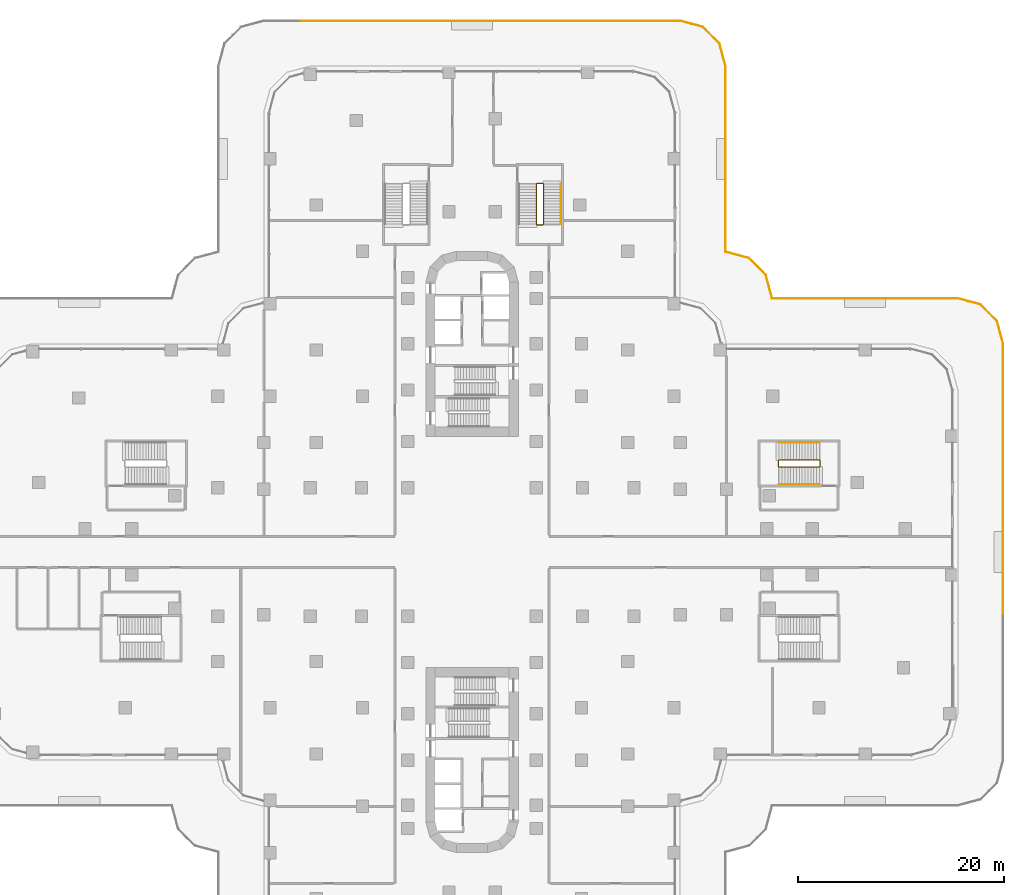
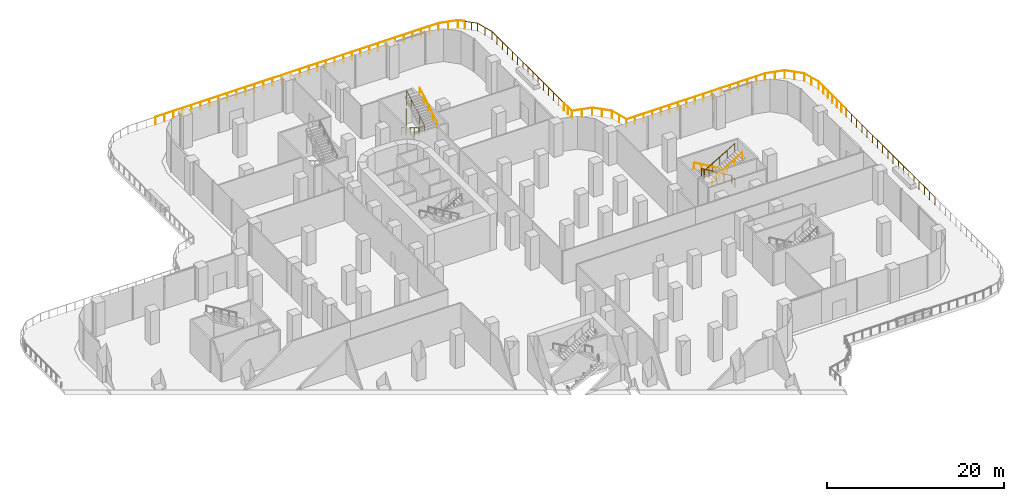
# One storey, part 28 of 29: 11 railings.
"""IFC4 building model written with IfcOpenShell, lengths in metres."""

from ifc_helpers import new_model, si_unit, direction, frame, origin, origin_2d, place, context, subcontext, project, spatial, circle, extrude, material, type_object, element, save


model = new_model("IFC4")

# Units and contexts
model_context = context("Model", 3, precision=1e-05, world=origin(), true_north=direction((0.0, 1.0)))
body_context = subcontext(model_context, "Body", "Model", "MODEL_VIEW")
ifc_project = project(units=[si_unit("LENGTHUNIT", "METRE"), si_unit("AREAUNIT", "SQUARE_METRE"), si_unit("VOLUMEUNIT", "CUBIC_METRE"), si_unit("PLANEANGLEUNIT", "RADIAN"), si_unit("MASSUNIT", "GRAM", prefix="KILO")], contexts=[model_context])

# Site, building, storey
site_placement = place(None, origin())
site = spatial("IfcSite", under=ifc_project, at=site_placement, CompositionType="ELEMENT")
building_placement = place(site_placement, origin())
building = spatial("IfcBuilding", under=site, at=building_placement, Name="Zarbagh Exchange Tower", CompositionType="ELEMENT")
storey_placement = place(building_placement, frame((0.0, 0.0, 12.0)))
storey = spatial("IfcBuildingStorey", under=building, at=storey_placement, Name="L02", CompositionType="ELEMENT", Elevation=12.0)

# Railings
ifc_material_1 = material(Name="Stainless steel", Category="steel")
railing_type_1 = type_object("IfcRailingType", Name="Stair guard 1100 mm", PredefinedType="GUARDRAIL", material=ifc_material_1)
railing_1_placement = place(storey_placement, frame((6.25, 35.800048828125, 0.166748046875)))
element("IfcRailing", 1, at=railing_1_placement, inside=storey, type_object=railing_type_1, Name="PS2 stair guard 1", PredefinedType="GUARDRAIL", context=body_context, shape_type="SweptSolid", body=[
    extrude(circle(Radius=0.02392578125, at=origin_2d()), frame((0.0, 0.0, 1.076171875), z_axis=(0.0, -0.859310244771, 0.511454693235), x_axis=(1.0, 0.0, 0.0)), (0.0, 0.0, 1.0), 4.56201171875),
    extrude(circle(Radius=0.02392578125, at=origin_2d()), frame((0.0, -3.920166015625, 3.4091796875), z_axis=(0.708833529934, -0.705375805398, 0.0), x_axis=(0.705375805398, 0.708833529934, 0.0)), (0.0, 0.0, 1.0), 0.070556640625),
    extrude(circle(Radius=0.02392578125, at=origin_2d()), frame((0.050048828125, -3.969970703125, 3.4091796875), z_axis=(1.0, 0.0, 0.0), x_axis=(0.0, 1.0, 0.0)), (0.0, 0.0, 1.0), 0.599853515625),
    extrude(circle(Radius=0.02392578125, at=origin_2d()), frame((0.64990234375, -3.969970703125, 3.4091796875), z_axis=(0.276389281352, 0.275041040955, 0.920848191041), x_axis=(-0.705375805398, 0.708833529934, 0.0)), (0.0, 0.0, 1.0), 0.18115234375),
    extrude(circle(Radius=0.02392578125, at=origin_2d()), frame((0.699951171875, -3.920166015625, 3.576171875), z_axis=(0.0, 0.859310244771, 0.511454693235), x_axis=(-1.0, 0.0, 0.0)), (0.0, 0.0, 1.0), 4.56201171875),
    extrude(circle(Radius=0.02392578125, at=origin_2d()), frame((0.699951171875, 0.0, 5.9091796875), z_axis=(-0.010008762843, 0.010008762843, -0.999899819648), x_axis=(-0.707106781187, -0.707106781187, 0.0)), (0.0, 0.0, 1.0), 5.00048828125),
    extrude(circle(Radius=0.02392578125, at=origin_2d()), frame((0.64990234375, 0.050048828125, 0.9091796875), z_axis=(-1.0, 0.0, 0.0), x_axis=(0.0, -1.0, 0.0)), (0.0, 0.0, 1.0), 0.599853515625),
    extrude(circle(Radius=0.02099609375, at=origin_2d()), origin(), (0.0, 0.0, 1.0), 1.052001953125),
    extrude(circle(Radius=0.02099609375, at=origin_2d()), frame((0.0, -0.97998046875, 0.583251953125)), (0.0, 0.0, 1.0), 1.052001953125),
    extrude(circle(Radius=0.02099609375, at=origin_2d()), frame((0.0, -1.9599609375, 1.16650390625)), (0.0, 0.0, 1.0), 1.052001953125),
    extrude(circle(Radius=0.02099609375, at=origin_2d()), frame((0.0, -2.940185546875, 1.75)), (0.0, 0.0, 1.0), 1.052001953125),
    extrude(circle(Radius=0.02099609375, at=origin_2d()), frame((0.0, -3.920166015625, 2.333251953125)), (0.0, 0.0, 1.0), 1.052001953125),
    extrude(circle(Radius=0.02099609375, at=origin_2d()), frame((0.050048828125, -3.969970703125, 2.333251953125)), (0.0, 0.0, 1.0), 1.052001953125),
    extrude(circle(Radius=0.02099609375, at=origin_2d()), frame((0.64990234375, -3.969970703125, 2.333251953125)), (0.0, 0.0, 1.0), 1.052001953125),
    extrude(circle(Radius=0.02099609375, at=origin_2d()), frame((0.699951171875, -3.920166015625, 2.5)), (0.0, 0.0, 1.0), 1.052001953125),
    extrude(circle(Radius=0.02099609375, at=origin_2d()), frame((0.699951171875, -2.940185546875, 3.083251953125)), (0.0, 0.0, 1.0), 1.052001953125),
    extrude(circle(Radius=0.02099609375, at=origin_2d()), frame((0.699951171875, -1.9599609375, 3.66650390625)), (0.0, 0.0, 1.0), 1.052001953125),
    extrude(circle(Radius=0.02099609375, at=origin_2d()), frame((0.699951171875, -0.97998046875, 4.25)), (0.0, 0.0, 1.0), 1.052001953125),
    extrude(circle(Radius=0.02099609375, at=origin_2d()), frame((0.699951171875, 0.0, 4.833251953125)), (0.0, 0.0, 1.0), 1.052001953125),
    extrude(circle(Radius=0.02099609375, at=origin_2d()), frame((0.68994140625, 0.010009765625, 3.833251953125)), (0.0, 0.0, 1.0), 1.052001953125),
    extrude(circle(Radius=0.02099609375, at=origin_2d()), frame((0.679931640625, 0.02001953125, 2.833251953125)), (0.0, 0.0, 1.0), 1.052001953125),
    extrude(circle(Radius=0.02099609375, at=origin_2d()), frame((0.669921875, 0.030029296875, 1.833251953125)), (0.0, 0.0, 1.0), 1.052001953125),
    extrude(circle(Radius=0.02099609375, at=origin_2d()), frame((0.659912109375, 0.0400390625, 0.833251953125)), (0.0, 0.0, 1.0), 1.052001953125),
    extrude(circle(Radius=0.02099609375, at=origin_2d()), frame((0.64990234375, 0.050048828125, -0.166748046875)), (0.0, 0.0, 1.0), 1.052001953125),
    extrude(circle(Radius=0.02099609375, at=origin_2d()), frame((0.050048828125, 0.050048828125, -0.166748046875)), (0.0, 0.0, 1.0), 1.052001953125),
])
railing_2_placement = place(storey_placement, frame((33.85009765625, 8.300048828125, 0.0)))
element("IfcRailing", 2, at=railing_2_placement, inside=storey, type_object=railing_type_1, Name="PS3 stair guard 1", PredefinedType="GUARDRAIL", context=body_context, shape_type="SweptSolid", body=[
    extrude(circle(Radius=0.02392578125, at=origin_2d()), frame((0.0, 0.0, 1.076171875), z_axis=(0.0, 1.0, 0.0), x_axis=(-1.0, 0.0, 0.0)), (0.0, 0.0, 1.0), 0.599853515625),
    extrude(circle(Radius=0.02392578125, at=origin_2d()), frame((0.0, 0.599853515625, 1.076171875), z_axis=(-0.27628659633, 0.27628659633, 0.920506074601), x_axis=(-0.707106781187, -0.707106781187, 0.0)), (0.0, 0.0, 1.0), 0.18115234375),
    extrude(circle(Radius=0.02392578125, at=origin_2d()), frame((-0.050048828125, 0.64990234375, 1.24267578125), z_axis=(-0.859310244771, 0.0, 0.511454693235), x_axis=(0.0, -1.0, 0.0)), (0.0, 0.0, 1.0), 4.56201171875),
    extrude(circle(Radius=0.02392578125, at=origin_2d()), frame((-3.97021484375, 0.64990234375, 3.576171875), z_axis=(-0.705375805398, -0.708833529934, 0.0), x_axis=(0.708833529934, -0.705375805398, 0.0)), (0.0, 0.0, 1.0), 0.070556640625),
    extrude(circle(Radius=0.02392578125, at=origin_2d()), frame((-4.02001953125, 0.599853515625, 3.576171875), z_axis=(0.0, -1.0, 0.0), x_axis=(1.0, 0.0, 0.0)), (0.0, 0.0, 1.0), 0.599853515625),
    extrude(circle(Radius=0.02392578125, at=origin_2d()), frame((-4.02001953125, 0.0, 3.576171875), z_axis=(0.275041040955, -0.276389281352, 0.920848191041), x_axis=(0.708833529934, 0.705375805398, 0.0)), (0.0, 0.0, 1.0), 0.18115234375),
    extrude(circle(Radius=0.02392578125, at=origin_2d()), frame((-3.97021484375, -0.050048828125, 3.74267578125), z_axis=(0.859310244771, 0.0, 0.511454693235), x_axis=(0.0, 1.0, 0.0)), (0.0, 0.0, 1.0), 4.56201171875),
    extrude(circle(Radius=0.02099609375, at=origin_2d()), origin(), (0.0, 0.0, 1.0), 1.052001953125),
    extrude(circle(Radius=0.02099609375, at=origin_2d()), frame((0.0, 0.599853515625, 0.0)), (0.0, 0.0, 1.0), 1.052001953125),
    extrude(circle(Radius=0.02099609375, at=origin_2d()), frame((-0.050048828125, 0.64990234375, 0.166748046875)), (0.0, 0.0, 1.0), 1.052001953125),
    extrude(circle(Radius=0.02099609375, at=origin_2d()), frame((-1.030029296875, 0.64990234375, 0.75)), (0.0, 0.0, 1.0), 1.052001953125),
    extrude(circle(Radius=0.02099609375, at=origin_2d()), frame((-2.01025390625, 0.64990234375, 1.33349609375)), (0.0, 0.0, 1.0), 1.052001953125),
    extrude(circle(Radius=0.02099609375, at=origin_2d()), frame((-2.990234375, 0.64990234375, 1.916748046875)), (0.0, 0.0, 1.0), 1.052001953125),
    extrude(circle(Radius=0.02099609375, at=origin_2d()), frame((-3.97021484375, 0.64990234375, 2.5)), (0.0, 0.0, 1.0), 1.052001953125),
    extrude(circle(Radius=0.02099609375, at=origin_2d()), frame((-4.02001953125, 0.599853515625, 2.5)), (0.0, 0.0, 1.0), 1.052001953125),
    extrude(circle(Radius=0.02099609375, at=origin_2d()), frame((-4.02001953125, 0.0, 2.5)), (0.0, 0.0, 1.0), 1.052001953125),
    extrude(circle(Radius=0.02099609375, at=origin_2d()), frame((-3.97021484375, -0.050048828125, 2.666748046875)), (0.0, 0.0, 1.0), 1.052001953125),
    extrude(circle(Radius=0.02099609375, at=origin_2d()), frame((-2.990234375, -0.050048828125, 3.25)), (0.0, 0.0, 1.0), 1.052001953125),
    extrude(circle(Radius=0.02099609375, at=origin_2d()), frame((-2.01025390625, -0.050048828125, 3.83349609375)), (0.0, 0.0, 1.0), 1.052001953125),
    extrude(circle(Radius=0.02099609375, at=origin_2d()), frame((-1.030029296875, -0.050048828125, 4.416748046875)), (0.0, 0.0, 1.0), 1.052001953125),
    extrude(circle(Radius=0.02099609375, at=origin_2d()), frame((-0.050048828125, -0.050048828125, 5.0)), (0.0, 0.0, 1.0), 1.052001953125),
])
railing_type_2 = type_object("IfcRailingType", Name="Stair handrail 900 mm", PredefinedType="HANDRAIL", material=ifc_material_1)
railing_3_placement = place(storey_placement, frame((8.64990234375, 31.8798828125, 2.666748046875)))
element("IfcRailing", 3, at=railing_3_placement, inside=storey, type_object=railing_type_2, Name="PS2 stair handrail 2", PredefinedType="HANDRAIL", context=body_context, shape_type="SweptSolid", body=[
    extrude(circle(Radius=0.02392578125, at=origin_2d()), frame((0.0, 0.0, 0.8759765625), z_axis=(0.0, 0.859310244771, 0.511454693235), x_axis=(-1.0, 0.0, 0.0)), (0.0, 0.0, 1.0), 4.56201171875),
    extrude(circle(Radius=0.02099609375, at=origin_2d()), origin(), (0.0, 0.0, 1.0), 0.851806640625),
    extrude(circle(Radius=0.02099609375, at=origin_2d()), frame((0.0, 0.97998046875, 0.583251953125)), (0.0, 0.0, 1.0), 0.851806640625),
    extrude(circle(Radius=0.02099609375, at=origin_2d()), frame((0.0, 1.9599609375, 1.16650390625)), (0.0, 0.0, 1.0), 0.851806640625),
    extrude(circle(Radius=0.02099609375, at=origin_2d()), frame((0.0, 2.940185546875, 1.75)), (0.0, 0.0, 1.0), 0.851806640625),
    extrude(circle(Radius=0.02099609375, at=origin_2d()), frame((0.0, 3.920166015625, 2.333251953125)), (0.0, 0.0, 1.0), 0.851806640625),
])
railing_4_placement = place(storey_placement, frame((33.800048828125, 10.64990234375, 0.166748046875)))
element("IfcRailing", 4, at=railing_4_placement, inside=storey, type_object=railing_type_2, Name="PS3 stair handrail 1", PredefinedType="HANDRAIL", context=body_context, shape_type="SweptSolid", body=[
    extrude(circle(Radius=0.02392578125, at=origin_2d()), frame((0.0, 0.0, 0.8759765625), z_axis=(-0.859310244771, 0.0, 0.511454693235), x_axis=(0.0, -1.0, 0.0)), (0.0, 0.0, 1.0), 4.56201171875),
    extrude(circle(Radius=0.02099609375, at=origin_2d()), origin(), (0.0, 0.0, 1.0), 0.851806640625),
    extrude(circle(Radius=0.02099609375, at=origin_2d()), frame((-0.97998046875, 0.0, 0.583251953125)), (0.0, 0.0, 1.0), 0.851806640625),
    extrude(circle(Radius=0.02099609375, at=origin_2d()), frame((-1.9599609375, 0.0, 1.16650390625)), (0.0, 0.0, 1.0), 0.851806640625),
    extrude(circle(Radius=0.02099609375, at=origin_2d()), frame((-2.940185546875, 0.0, 1.75)), (0.0, 0.0, 1.0), 0.851806640625),
    extrude(circle(Radius=0.02099609375, at=origin_2d()), frame((-3.920166015625, 0.0, 2.333251953125)), (0.0, 0.0, 1.0), 0.851806640625),
])
railing_5_placement = place(storey_placement, frame((29.8798828125, 6.550048828125, 2.666748046875)))
element("IfcRailing", 5, at=railing_5_placement, inside=storey, type_object=railing_type_2, Name="PS3 stair handrail 2", PredefinedType="HANDRAIL", context=body_context, shape_type="SweptSolid", body=[
    extrude(circle(Radius=0.02392578125, at=origin_2d()), frame((0.0, 0.0, 0.8759765625), z_axis=(0.859310244771, 0.0, 0.511454693235), x_axis=(0.0, 1.0, 0.0)), (0.0, 0.0, 1.0), 4.56201171875),
    extrude(circle(Radius=0.02099609375, at=origin_2d()), origin(), (0.0, 0.0, 1.0), 0.851806640625),
    extrude(circle(Radius=0.02099609375, at=origin_2d()), frame((0.97998046875, 0.0, 0.583251953125)), (0.0, 0.0, 1.0), 0.851806640625),
    extrude(circle(Radius=0.02099609375, at=origin_2d()), frame((1.9599609375, 0.0, 1.16650390625)), (0.0, 0.0, 1.0), 0.851806640625),
    extrude(circle(Radius=0.02099609375, at=origin_2d()), frame((2.940185546875, 0.0, 1.75)), (0.0, 0.0, 1.0), 0.851806640625),
    extrude(circle(Radius=0.02099609375, at=origin_2d()), frame((3.920166015625, 0.0, 2.333251953125)), (0.0, 0.0, 1.0), 0.851806640625),
])
ifc_material_2 = material(Name="Stainless steel and laminated glass", Category="steel")
railing_type_3 = type_object("IfcRailingType", Name="Terrace guard, glass balustrade 1.1 m", PredefinedType="GUARDRAIL", material=ifc_material_2)
railing_6_placement = place(storey_placement, frame((-16.65673828125, 51.669921875, 0.0)))
element("IfcRailing", 6, at=railing_6_placement, inside=storey, type_object=railing_type_3, Name="TG01 terrace guard", PredefinedType="GUARDRAIL", context=body_context, shape_type="SweptSolid", body=[
    extrude(circle(Radius=0.02490234375, at=origin_2d()), frame((0.0, 0.0, 1.0751953125), z_axis=(1.0, 0.0, 0.0), x_axis=(0.0, 1.0, 0.0)), (0.0, 0.0, 1.0), 20.0),
    extrude(circle(Radius=0.02490234375, at=origin_2d()), origin(), (0.0, 0.0, 1.0), 1.050048828125),
    extrude(circle(Radius=0.02490234375, at=origin_2d()), frame((1.176513671875, 0.0, 0.0)), (0.0, 0.0, 1.0), 1.050048828125),
    extrude(circle(Radius=0.02490234375, at=origin_2d()), frame((2.35302734375, 0.0, 0.0)), (0.0, 0.0, 1.0), 1.050048828125),
    extrude(circle(Radius=0.02490234375, at=origin_2d()), frame((3.529296875, 0.0, 0.0)), (0.0, 0.0, 1.0), 1.050048828125),
    extrude(circle(Radius=0.02490234375, at=origin_2d()), frame((4.705810546875, 0.0, 0.0)), (0.0, 0.0, 1.0), 1.050048828125),
    extrude(circle(Radius=0.02490234375, at=origin_2d()), frame((5.88232421875, 0.0, 0.0)), (0.0, 0.0, 1.0), 1.050048828125),
    extrude(circle(Radius=0.02490234375, at=origin_2d()), frame((7.058837890625, 0.0, 0.0)), (0.0, 0.0, 1.0), 1.050048828125),
    extrude(circle(Radius=0.02490234375, at=origin_2d()), frame((8.2353515625, 0.0, 0.0)), (0.0, 0.0, 1.0), 1.050048828125),
    extrude(circle(Radius=0.02490234375, at=origin_2d()), frame((9.411865234375, 0.0, 0.0)), (0.0, 0.0, 1.0), 1.050048828125),
    extrude(circle(Radius=0.02490234375, at=origin_2d()), frame((10.588134765625, 0.0, 0.0)), (0.0, 0.0, 1.0), 1.050048828125),
    extrude(circle(Radius=0.02490234375, at=origin_2d()), frame((11.7646484375, 0.0, 0.0)), (0.0, 0.0, 1.0), 1.050048828125),
    extrude(circle(Radius=0.02490234375, at=origin_2d()), frame((12.941162109375, 0.0, 0.0)), (0.0, 0.0, 1.0), 1.050048828125),
    extrude(circle(Radius=0.02490234375, at=origin_2d()), frame((14.11767578125, 0.0, 0.0)), (0.0, 0.0, 1.0), 1.050048828125),
    extrude(circle(Radius=0.02490234375, at=origin_2d()), frame((15.294189453125, 0.0, 0.0)), (0.0, 0.0, 1.0), 1.050048828125),
    extrude(circle(Radius=0.02490234375, at=origin_2d()), frame((16.470703125, 0.0, 0.0)), (0.0, 0.0, 1.0), 1.050048828125),
    extrude(circle(Radius=0.02490234375, at=origin_2d()), frame((17.64697265625, 0.0, 0.0)), (0.0, 0.0, 1.0), 1.050048828125),
    extrude(circle(Radius=0.02490234375, at=origin_2d()), frame((18.823486328125, 0.0, 0.0)), (0.0, 0.0, 1.0), 1.050048828125),
    extrude(circle(Radius=0.02490234375, at=origin_2d()), frame((20.0, 0.0, 0.0)), (0.0, 0.0, 1.0), 1.050048828125),
])
railing_7_placement = place(storey_placement, frame((3.34326171875, 51.669921875, 0.0)))
element("IfcRailing", 7, at=railing_7_placement, inside=storey, type_object=railing_type_3, Name="TG01 terrace guard", PredefinedType="GUARDRAIL", context=body_context, shape_type="SweptSolid", body=[
    extrude(circle(Radius=0.02490234375, at=origin_2d()), frame((0.0, 0.0, 1.0751953125), z_axis=(1.0, 0.0, 0.0), x_axis=(0.0, 1.0, 0.0)), (0.0, 0.0, 1.0), 16.896240234375),
    extrude(circle(Radius=0.02490234375, at=origin_2d()), frame((16.896240234375, 0.0, 1.0751953125), z_axis=(0.965936192935, -0.258780353152, 0.0), x_axis=(0.258780353152, 0.965936192935, 0.0)), (0.0, 0.0, 1.0), 2.29736328125),
    extrude(circle(Radius=0.02490234375, at=origin_2d()), frame((19.115234375, -0.594482421875, 1.0751953125), z_axis=(0.707106781187, -0.707106781187, 0.0), x_axis=(0.707106781187, 0.707106781187, 0.0)), (0.0, 0.0, 1.0), 0.806640625),
    extrude(circle(Radius=0.02490234375, at=origin_2d()), origin(), (0.0, 0.0, 1.0), 1.050048828125),
    extrude(circle(Radius=0.02490234375, at=origin_2d()), frame((1.12646484375, 0.0, 0.0)), (0.0, 0.0, 1.0), 1.050048828125),
    extrude(circle(Radius=0.02490234375, at=origin_2d()), frame((2.2529296875, 0.0, 0.0)), (0.0, 0.0, 1.0), 1.050048828125),
    extrude(circle(Radius=0.02490234375, at=origin_2d()), frame((3.379150390625, 0.0, 0.0)), (0.0, 0.0, 1.0), 1.050048828125),
    extrude(circle(Radius=0.02490234375, at=origin_2d()), frame((4.505615234375, 0.0, 0.0)), (0.0, 0.0, 1.0), 1.050048828125),
    extrude(circle(Radius=0.02490234375, at=origin_2d()), frame((5.632080078125, 0.0, 0.0)), (0.0, 0.0, 1.0), 1.050048828125),
    extrude(circle(Radius=0.02490234375, at=origin_2d()), frame((6.758544921875, 0.0, 0.0)), (0.0, 0.0, 1.0), 1.050048828125),
    extrude(circle(Radius=0.02490234375, at=origin_2d()), frame((7.885009765625, 0.0, 0.0)), (0.0, 0.0, 1.0), 1.050048828125),
    extrude(circle(Radius=0.02490234375, at=origin_2d()), frame((9.01123046875, 0.0, 0.0)), (0.0, 0.0, 1.0), 1.050048828125),
    extrude(circle(Radius=0.02490234375, at=origin_2d()), frame((10.1376953125, 0.0, 0.0)), (0.0, 0.0, 1.0), 1.050048828125),
    extrude(circle(Radius=0.02490234375, at=origin_2d()), frame((11.26416015625, 0.0, 0.0)), (0.0, 0.0, 1.0), 1.050048828125),
    extrude(circle(Radius=0.02490234375, at=origin_2d()), frame((12.390625, 0.0, 0.0)), (0.0, 0.0, 1.0), 1.050048828125),
    extrude(circle(Radius=0.02490234375, at=origin_2d()), frame((13.51708984375, 0.0, 0.0)), (0.0, 0.0, 1.0), 1.050048828125),
    extrude(circle(Radius=0.02490234375, at=origin_2d()), frame((14.643310546875, 0.0, 0.0)), (0.0, 0.0, 1.0), 1.050048828125),
    extrude(circle(Radius=0.02490234375, at=origin_2d()), frame((15.769775390625, 0.0, 0.0)), (0.0, 0.0, 1.0), 1.050048828125),
    extrude(circle(Radius=0.02490234375, at=origin_2d()), frame((16.896240234375, 0.0, 0.0)), (0.0, 0.0, 1.0), 1.050048828125),
    extrude(circle(Radius=0.02490234375, at=origin_2d()), frame((18.005859375, -0.29736328125, 0.0)), (0.0, 0.0, 1.0), 1.050048828125),
    extrude(circle(Radius=0.02490234375, at=origin_2d()), frame((19.115234375, -0.594482421875, 0.0)), (0.0, 0.0, 1.0), 1.050048828125),
    extrude(circle(Radius=0.02490234375, at=origin_2d()), frame((19.685546875, -1.164794921875, 0.0)), (0.0, 0.0, 1.0), 1.050048828125),
])
railing_8_placement = place(storey_placement, frame((23.02880859375, 50.505126953125, 0.0)))
element("IfcRailing", 8, at=railing_8_placement, inside=storey, type_object=railing_type_3, Name="TG01 terrace guard", PredefinedType="GUARDRAIL", context=body_context, shape_type="SweptSolid", body=[
    extrude(circle(Radius=0.02490234375, at=origin_2d()), frame((0.0, 0.0, 1.0751953125), z_axis=(0.707106781187, -0.707106781187, 0.0), x_axis=(0.707106781187, 0.707106781187, 0.0)), (0.0, 0.0, 1.0), 1.480224609375),
    extrude(circle(Radius=0.02490234375, at=origin_2d()), frame((1.046630859375, -1.046630859375, 1.0751953125), z_axis=(0.258780353152, -0.965936192935, 0.0), x_axis=(0.965936192935, 0.258780353152, 0.0)), (0.0, 0.0, 1.0), 2.29736328125),
    extrude(circle(Radius=0.02490234375, at=origin_2d()), frame((1.64111328125, -3.265625, 1.0751953125), z_axis=(0.0, -1.0, 0.0), x_axis=(1.0, 0.0, 0.0)), (0.0, 0.0, 1.0), 16.222412109375),
    extrude(circle(Radius=0.02490234375, at=origin_2d()), origin(), (0.0, 0.0, 1.0), 1.050048828125),
    extrude(circle(Radius=0.02490234375, at=origin_2d()), frame((0.5234375, -0.5234375, 0.0)), (0.0, 0.0, 1.0), 1.050048828125),
    extrude(circle(Radius=0.02490234375, at=origin_2d()), frame((1.046630859375, -1.046630859375, 0.0)), (0.0, 0.0, 1.0), 1.050048828125),
    extrude(circle(Radius=0.02490234375, at=origin_2d()), frame((1.34375, -2.15625, 0.0)), (0.0, 0.0, 1.0), 1.050048828125),
    extrude(circle(Radius=0.02490234375, at=origin_2d()), frame((1.64111328125, -3.265625, 0.0)), (0.0, 0.0, 1.0), 1.050048828125),
    extrude(circle(Radius=0.02490234375, at=origin_2d()), frame((1.64111328125, -4.42431640625, 0.0)), (0.0, 0.0, 1.0), 1.050048828125),
    extrude(circle(Radius=0.02490234375, at=origin_2d()), frame((1.64111328125, -5.5830078125, 0.0)), (0.0, 0.0, 1.0), 1.050048828125),
    extrude(circle(Radius=0.02490234375, at=origin_2d()), frame((1.64111328125, -6.741943359375, 0.0)), (0.0, 0.0, 1.0), 1.050048828125),
    extrude(circle(Radius=0.02490234375, at=origin_2d()), frame((1.64111328125, -7.900634765625, 0.0)), (0.0, 0.0, 1.0), 1.050048828125),
    extrude(circle(Radius=0.02490234375, at=origin_2d()), frame((1.64111328125, -9.059326171875, 0.0)), (0.0, 0.0, 1.0), 1.050048828125),
    extrude(circle(Radius=0.02490234375, at=origin_2d()), frame((1.64111328125, -10.218017578125, 0.0)), (0.0, 0.0, 1.0), 1.050048828125),
    extrude(circle(Radius=0.02490234375, at=origin_2d()), frame((1.64111328125, -11.376953125, 0.0)), (0.0, 0.0, 1.0), 1.050048828125),
    extrude(circle(Radius=0.02490234375, at=origin_2d()), frame((1.64111328125, -12.53564453125, 0.0)), (0.0, 0.0, 1.0), 1.050048828125),
    extrude(circle(Radius=0.02490234375, at=origin_2d()), frame((1.64111328125, -13.6943359375, 0.0)), (0.0, 0.0, 1.0), 1.050048828125),
    extrude(circle(Radius=0.02490234375, at=origin_2d()), frame((1.64111328125, -14.85302734375, 0.0)), (0.0, 0.0, 1.0), 1.050048828125),
    extrude(circle(Radius=0.02490234375, at=origin_2d()), frame((1.64111328125, -16.01171875, 0.0)), (0.0, 0.0, 1.0), 1.050048828125),
    extrude(circle(Radius=0.02490234375, at=origin_2d()), frame((1.64111328125, -17.170654296875, 0.0)), (0.0, 0.0, 1.0), 1.050048828125),
    extrude(circle(Radius=0.02490234375, at=origin_2d()), frame((1.64111328125, -18.329345703125, 0.0)), (0.0, 0.0, 1.0), 1.050048828125),
    extrude(circle(Radius=0.02490234375, at=origin_2d()), frame((1.64111328125, -19.488037109375, 0.0)), (0.0, 0.0, 1.0), 1.050048828125),
])
railing_9_placement = place(storey_placement, frame((24.669921875, 31.01708984375, 0.0)))
element("IfcRailing", 9, at=railing_9_placement, inside=storey, type_object=railing_type_3, Name="TG01 terrace guard", PredefinedType="GUARDRAIL", context=body_context, shape_type="SweptSolid", body=[
    extrude(circle(Radius=0.02490234375, at=origin_2d()), frame((0.0, 0.0, 1.0751953125), z_axis=(0.0, -1.0, 0.0), x_axis=(1.0, 0.0, 0.0)), (0.0, 0.0, 1.0), 1.828369140625),
    extrude(circle(Radius=0.02490234375, at=origin_2d()), frame((0.0, -1.828369140625, 1.0751953125), z_axis=(0.965919533457, -0.258842529128, 0.0), x_axis=(0.258842529128, 0.965919533457, 0.0)), (0.0, 0.0, 1.0), 2.369384765625),
    extrude(circle(Radius=0.02490234375, at=origin_2d()), frame((2.28857421875, -2.441650390625, 1.0751953125), z_axis=(0.707106781187, -0.707106781187, 0.0), x_axis=(0.707106781187, 0.707106781187, 0.0)), (0.0, 0.0, 1.0), 2.28662109375),
    extrude(circle(Radius=0.02490234375, at=origin_2d()), frame((3.905517578125, -4.05859375, 1.0751953125), z_axis=(0.258842529128, -0.965919533457, 0.0), x_axis=(0.965919533457, 0.258842529128, 0.0)), (0.0, 0.0, 1.0), 2.369384765625),
    extrude(circle(Radius=0.02490234375, at=origin_2d()), frame((4.518798828125, -6.34716796875, 1.0751953125), z_axis=(1.0, 0.0, 0.0), x_axis=(0.0, 1.0, 0.0)), (0.0, 0.0, 1.0), 11.146240234375),
    extrude(circle(Radius=0.02490234375, at=origin_2d()), origin(), (0.0, 0.0, 1.0), 1.050048828125),
    extrude(circle(Radius=0.02490234375, at=origin_2d()), frame((0.0, -0.9140625, 0.0)), (0.0, 0.0, 1.0), 1.050048828125),
    extrude(circle(Radius=0.02490234375, at=origin_2d()), frame((0.0, -1.828369140625, 0.0)), (0.0, 0.0, 1.0), 1.050048828125),
    extrude(circle(Radius=0.02490234375, at=origin_2d()), frame((1.144287109375, -2.135009765625, 0.0)), (0.0, 0.0, 1.0), 1.050048828125),
    extrude(circle(Radius=0.02490234375, at=origin_2d()), frame((2.28857421875, -2.441650390625, 0.0)), (0.0, 0.0, 1.0), 1.050048828125),
    extrude(circle(Radius=0.02490234375, at=origin_2d()), frame((3.09716796875, -3.25, 0.0)), (0.0, 0.0, 1.0), 1.050048828125),
    extrude(circle(Radius=0.02490234375, at=origin_2d()), frame((3.905517578125, -4.05859375, 0.0)), (0.0, 0.0, 1.0), 1.050048828125),
    extrude(circle(Radius=0.02490234375, at=origin_2d()), frame((4.212158203125, -5.202880859375, 0.0)), (0.0, 0.0, 1.0), 1.050048828125),
    extrude(circle(Radius=0.02490234375, at=origin_2d()), frame((4.518798828125, -6.34716796875, 0.0)), (0.0, 0.0, 1.0), 1.050048828125),
    extrude(circle(Radius=0.02490234375, at=origin_2d()), frame((5.63330078125, -6.34716796875, 0.0)), (0.0, 0.0, 1.0), 1.050048828125),
    extrude(circle(Radius=0.02490234375, at=origin_2d()), frame((6.748046875, -6.34716796875, 0.0)), (0.0, 0.0, 1.0), 1.050048828125),
    extrude(circle(Radius=0.02490234375, at=origin_2d()), frame((7.86279296875, -6.34716796875, 0.0)), (0.0, 0.0, 1.0), 1.050048828125),
    extrude(circle(Radius=0.02490234375, at=origin_2d()), frame((8.977294921875, -6.34716796875, 0.0)), (0.0, 0.0, 1.0), 1.050048828125),
    extrude(circle(Radius=0.02490234375, at=origin_2d()), frame((10.091796875, -6.34716796875, 0.0)), (0.0, 0.0, 1.0), 1.050048828125),
    extrude(circle(Radius=0.02490234375, at=origin_2d()), frame((11.20654296875, -6.34716796875, 0.0)), (0.0, 0.0, 1.0), 1.050048828125),
    extrude(circle(Radius=0.02490234375, at=origin_2d()), frame((12.3212890625, -6.34716796875, 0.0)), (0.0, 0.0, 1.0), 1.050048828125),
    extrude(circle(Radius=0.02490234375, at=origin_2d()), frame((13.435791015625, -6.34716796875, 0.0)), (0.0, 0.0, 1.0), 1.050048828125),
    extrude(circle(Radius=0.02490234375, at=origin_2d()), frame((14.55029296875, -6.34716796875, 0.0)), (0.0, 0.0, 1.0), 1.050048828125),
    extrude(circle(Radius=0.02490234375, at=origin_2d()), frame((15.6650390625, -6.34716796875, 0.0)), (0.0, 0.0, 1.0), 1.050048828125),
])
railing_10_placement = place(storey_placement, frame((40.3349609375, 24.669921875, 0.0)))
element("IfcRailing", 10, at=railing_10_placement, inside=storey, type_object=railing_type_3, Name="TG01 terrace guard", PredefinedType="GUARDRAIL", context=body_context, shape_type="SweptSolid", body=[
    extrude(circle(Radius=0.02490234375, at=origin_2d()), frame((0.0, 0.0, 1.0751953125), z_axis=(1.0, 0.0, 0.0), x_axis=(0.0, 1.0, 0.0)), (0.0, 0.0, 1.0), 6.904541015625),
    extrude(circle(Radius=0.02490234375, at=origin_2d()), frame((6.904541015625, 0.0, 1.0751953125), z_axis=(0.965936192935, -0.258780353152, 0.0), x_axis=(0.258780353152, 0.965936192935, 0.0)), (0.0, 0.0, 1.0), 2.29736328125),
    extrude(circle(Radius=0.02490234375, at=origin_2d()), frame((9.12353515625, -0.594482421875, 1.0751953125), z_axis=(0.707106781187, -0.707106781187, 0.0), x_axis=(0.707106781187, 0.707106781187, 0.0)), (0.0, 0.0, 1.0), 2.28662109375),
    extrude(circle(Radius=0.02490234375, at=origin_2d()), frame((10.740478515625, -2.21142578125, 1.0751953125), z_axis=(0.258780353152, -0.965936192935, 0.0), x_axis=(0.965936192935, 0.258780353152, 0.0)), (0.0, 0.0, 1.0), 2.29736328125),
    extrude(circle(Radius=0.02490234375, at=origin_2d()), frame((11.3349609375, -4.430419921875, 1.0751953125), z_axis=(0.0, -1.0, 0.0), x_axis=(1.0, 0.0, 0.0)), (0.0, 0.0, 1.0), 6.21435546875),
    extrude(circle(Radius=0.02490234375, at=origin_2d()), origin(), (0.0, 0.0, 1.0), 1.050048828125),
    extrude(circle(Radius=0.02490234375, at=origin_2d()), frame((1.15087890625, 0.0, 0.0)), (0.0, 0.0, 1.0), 1.050048828125),
    extrude(circle(Radius=0.02490234375, at=origin_2d()), frame((2.301513671875, 0.0, 0.0)), (0.0, 0.0, 1.0), 1.050048828125),
    extrude(circle(Radius=0.02490234375, at=origin_2d()), frame((3.4521484375, 0.0, 0.0)), (0.0, 0.0, 1.0), 1.050048828125),
    extrude(circle(Radius=0.02490234375, at=origin_2d()), frame((4.60302734375, 0.0, 0.0)), (0.0, 0.0, 1.0), 1.050048828125),
    extrude(circle(Radius=0.02490234375, at=origin_2d()), frame((5.75390625, 0.0, 0.0)), (0.0, 0.0, 1.0), 1.050048828125),
    extrude(circle(Radius=0.02490234375, at=origin_2d()), frame((6.904541015625, 0.0, 0.0)), (0.0, 0.0, 1.0), 1.050048828125),
    extrude(circle(Radius=0.02490234375, at=origin_2d()), frame((8.01416015625, -0.29736328125, 0.0)), (0.0, 0.0, 1.0), 1.050048828125),
    extrude(circle(Radius=0.02490234375, at=origin_2d()), frame((9.12353515625, -0.594482421875, 0.0)), (0.0, 0.0, 1.0), 1.050048828125),
    extrude(circle(Radius=0.02490234375, at=origin_2d()), frame((9.93212890625, -1.40283203125, 0.0)), (0.0, 0.0, 1.0), 1.050048828125),
    extrude(circle(Radius=0.02490234375, at=origin_2d()), frame((10.740478515625, -2.21142578125, 0.0)), (0.0, 0.0, 1.0), 1.050048828125),
    extrude(circle(Radius=0.02490234375, at=origin_2d()), frame((11.03759765625, -3.32080078125, 0.0)), (0.0, 0.0, 1.0), 1.050048828125),
    extrude(circle(Radius=0.02490234375, at=origin_2d()), frame((11.3349609375, -4.430419921875, 0.0)), (0.0, 0.0, 1.0), 1.050048828125),
    extrude(circle(Radius=0.02490234375, at=origin_2d()), frame((11.3349609375, -5.466064453125, 0.0)), (0.0, 0.0, 1.0), 1.050048828125),
    extrude(circle(Radius=0.02490234375, at=origin_2d()), frame((11.3349609375, -6.501953125, 0.0)), (0.0, 0.0, 1.0), 1.050048828125),
    extrude(circle(Radius=0.02490234375, at=origin_2d()), frame((11.3349609375, -7.53759765625, 0.0)), (0.0, 0.0, 1.0), 1.050048828125),
    extrude(circle(Radius=0.02490234375, at=origin_2d()), frame((11.3349609375, -8.5732421875, 0.0)), (0.0, 0.0, 1.0), 1.050048828125),
    extrude(circle(Radius=0.02490234375, at=origin_2d()), frame((11.3349609375, -9.609130859375, 0.0)), (0.0, 0.0, 1.0), 1.050048828125),
    extrude(circle(Radius=0.02490234375, at=origin_2d()), frame((11.3349609375, -10.644775390625, 0.0)), (0.0, 0.0, 1.0), 1.050048828125),
])
railing_11_placement = place(storey_placement, frame((51.669921875, 14.025146484375, 0.0)))
element("IfcRailing", 11, at=railing_11_placement, inside=storey, type_object=railing_type_3, Name="TG01 terrace guard", PredefinedType="GUARDRAIL", context=body_context, shape_type="SweptSolid", body=[
    extrude(circle(Radius=0.02490234375, at=origin_2d()), frame((0.0, 0.0, 1.0751953125), z_axis=(0.0, -1.0, 0.0), x_axis=(1.0, 0.0, 0.0)), (0.0, 0.0, 1.0), 20.0),
    extrude(circle(Radius=0.02490234375, at=origin_2d()), origin(), (0.0, 0.0, 1.0), 1.050048828125),
    extrude(circle(Radius=0.02490234375, at=origin_2d()), frame((0.0, -1.176513671875, 0.0)), (0.0, 0.0, 1.0), 1.050048828125),
    extrude(circle(Radius=0.02490234375, at=origin_2d()), frame((0.0, -2.35302734375, 0.0)), (0.0, 0.0, 1.0), 1.050048828125),
    extrude(circle(Radius=0.02490234375, at=origin_2d()), frame((0.0, -3.529296875, 0.0)), (0.0, 0.0, 1.0), 1.050048828125),
    extrude(circle(Radius=0.02490234375, at=origin_2d()), frame((0.0, -4.705810546875, 0.0)), (0.0, 0.0, 1.0), 1.050048828125),
    extrude(circle(Radius=0.02490234375, at=origin_2d()), frame((0.0, -5.88232421875, 0.0)), (0.0, 0.0, 1.0), 1.050048828125),
    extrude(circle(Radius=0.02490234375, at=origin_2d()), frame((0.0, -7.058837890625, 0.0)), (0.0, 0.0, 1.0), 1.050048828125),
    extrude(circle(Radius=0.02490234375, at=origin_2d()), frame((0.0, -8.2353515625, 0.0)), (0.0, 0.0, 1.0), 1.050048828125),
    extrude(circle(Radius=0.02490234375, at=origin_2d()), frame((0.0, -9.411865234375, 0.0)), (0.0, 0.0, 1.0), 1.050048828125),
    extrude(circle(Radius=0.02490234375, at=origin_2d()), frame((0.0, -10.588134765625, 0.0)), (0.0, 0.0, 1.0), 1.050048828125),
    extrude(circle(Radius=0.02490234375, at=origin_2d()), frame((0.0, -11.7646484375, 0.0)), (0.0, 0.0, 1.0), 1.050048828125),
    extrude(circle(Radius=0.02490234375, at=origin_2d()), frame((0.0, -12.941162109375, 0.0)), (0.0, 0.0, 1.0), 1.050048828125),
    extrude(circle(Radius=0.02490234375, at=origin_2d()), frame((0.0, -14.11767578125, 0.0)), (0.0, 0.0, 1.0), 1.050048828125),
    extrude(circle(Radius=0.02490234375, at=origin_2d()), frame((0.0, -15.294189453125, 0.0)), (0.0, 0.0, 1.0), 1.050048828125),
    extrude(circle(Radius=0.02490234375, at=origin_2d()), frame((0.0, -16.470703125, 0.0)), (0.0, 0.0, 1.0), 1.050048828125),
    extrude(circle(Radius=0.02490234375, at=origin_2d()), frame((0.0, -17.64697265625, 0.0)), (0.0, 0.0, 1.0), 1.050048828125),
    extrude(circle(Radius=0.02490234375, at=origin_2d()), frame((0.0, -18.823486328125, 0.0)), (0.0, 0.0, 1.0), 1.050048828125),
    extrude(circle(Radius=0.02490234375, at=origin_2d()), frame((0.0, -20.0, 0.0)), (0.0, 0.0, 1.0), 1.050048828125),
])

save(model, "model.ifc")
